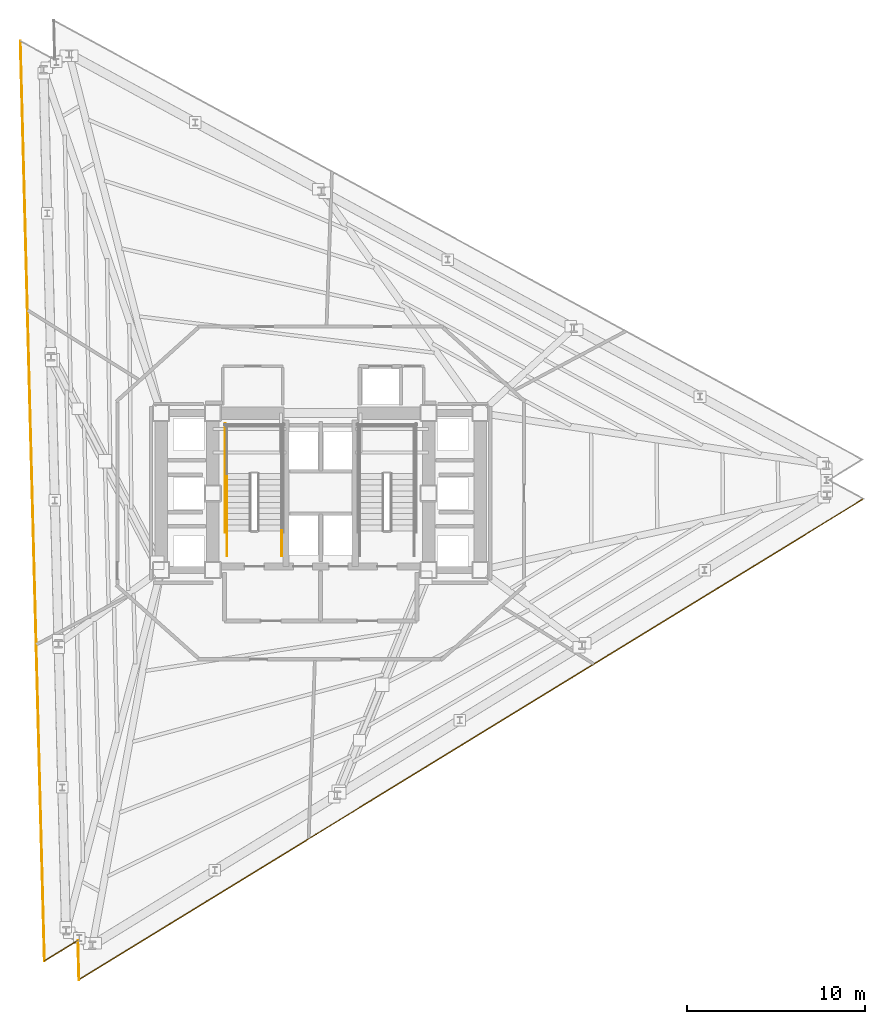
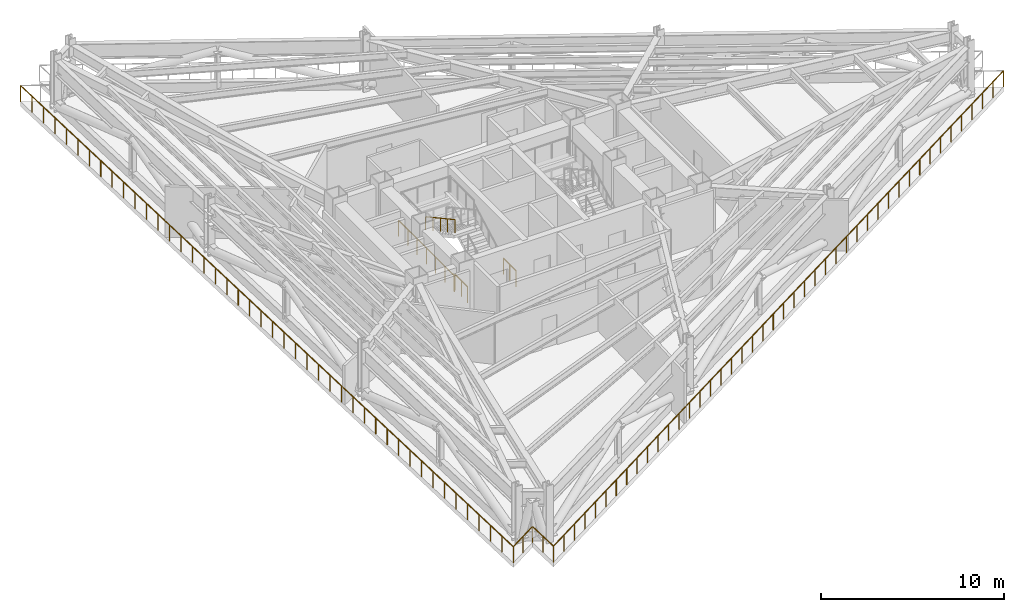
# One storey, part 8 of 10: 8 railings.
"""IFC4 building model written with IfcOpenShell, lengths in metres."""

from ifc_helpers import new_model, si_unit, direction, frame, origin, origin_2d, place, context, subcontext, project, spatial, rectangle, extrude, material, layer, layer_set, type_object, element, save


model = new_model("IFC4")

# Units and contexts
model_context = context("Model", 3, precision=1e-05, world=origin(), true_north=direction((0.0, 1.0)))
body_context = subcontext(model_context, "Body", "Model", "MODEL_VIEW")
ifc_project = project(units=[si_unit("LENGTHUNIT", "METRE"), si_unit("AREAUNIT", "SQUARE_METRE"), si_unit("VOLUMEUNIT", "CUBIC_METRE"), si_unit("PLANEANGLEUNIT", "RADIAN"), si_unit("MASSUNIT", "GRAM", prefix="KILO")], contexts=[model_context])

# Site, building, storey
site_placement = place(None, origin())
site = spatial("IfcSite", under=ifc_project, at=site_placement, CompositionType="ELEMENT")
building_placement = place(site_placement, origin())
building = spatial("IfcBuilding", under=site, at=building_placement, Name="Rocaltana Carrier Exchange", CompositionType="ELEMENT")
storey_placement = place(building_placement, frame((0.0, 0.0, 45.760009765625)))
storey = spatial("IfcBuildingStorey", under=building, at=storey_placement, Name="L14", CompositionType="ELEMENT", Elevation=45.760009765625)

# Railings
ifc_material_1 = material(Name="Brushed Architectural Stainless Tube", Category="steel")
ifc_layer_1 = layer(ifc_material_1, 0.048095703125)
ifc_layer_set_1 = layer_set([ifc_layer_1], Name="Brushed Architectural Stainless Tube")
railing_type_1 = type_object("IfcRailingType", Name="Stair Wall Handrail 920", PredefinedType="HANDRAIL", material=ifc_layer_set_1)
railing_1_placement = place(storey_placement, frame((-5.25, 1.10009765625, 2.094482421875)))
element("IfcRailing", 1, at=railing_1_placement, inside=storey, type_object=railing_type_1, Name="L14 ST-1 stair handrail 2", PredefinedType="HANDRAIL", context=body_context, shape_type="SweptSolid", body=[
    extrude(rectangle(XDim=0.048095703125, YDim=0.048095703125, at=origin_2d()), frame((0.0, 0.0, 0.8759765625), z_axis=(0.0, -0.87789045386, 0.478861515494), x_axis=(1.0, 0.0, 0.0)), (0.0, 0.0, 1.0), 3.645263671875),
    extrude(rectangle(XDim=0.0419921875, YDim=0.0419921875, at=origin_2d()), origin(), (0.0, 0.0, 1.0), 0.851806640625),
    extrude(rectangle(XDim=0.0419921875, YDim=0.0419921875, at=origin_2d()), frame((0.0, -0.800048828125, 0.4365234375)), (0.0, 0.0, 1.0), 0.851806640625),
    extrude(rectangle(XDim=0.0419921875, YDim=0.0419921875, at=origin_2d()), frame((0.0, -1.60009765625, 0.872802734375)), (0.0, 0.0, 1.0), 0.851806640625),
    extrude(rectangle(XDim=0.0419921875, YDim=0.0419921875, at=origin_2d()), frame((0.0, -2.400146484375, 1.30908203125)), (0.0, 0.0, 1.0), 0.851806640625),
    extrude(rectangle(XDim=0.0419921875, YDim=0.0419921875, at=origin_2d()), frame((0.0, -3.2001953125, 1.74560546875)), (0.0, 0.0, 1.0), 0.851806640625),
])
ifc_material_2 = material(Name="Powder-Coated Aluminium 6063-T6", Category="aluminium")
ifc_layer_2 = layer(ifc_material_2, 0.048095703125)
ifc_layer_set_2 = layer_set([ifc_layer_2], Name="Powder-Coated Aluminium 6063-T6")
railing_type_2 = type_object("IfcRailingType", Name="Stair Well Guardrail 1100", PredefinedType="GUARDRAIL", material=ifc_layer_set_2)
for number, where, name in (
    (2, (-2.18994140625, -3.5, 0.0), "L14 ST-1 stair guard 8"),
    (3, (-5.25, -3.5, 0.0), "L14 ST-1 stair guard 9"),
):
    element("IfcRailing", number, at=place(storey_placement, frame(where)), inside=storey, type_object=railing_type_2, Name=name, PredefinedType="GUARDRAIL", context=body_context, shape_type="SweptSolid", body=[
        extrude(rectangle(XDim=0.048095703125, YDim=0.048095703125, at=origin_2d()), frame((0.0, 0.0, 1.076171875), z_axis=(0.0, 1.0, 0.0), x_axis=(-1.0, 0.0, 0.0)), (0.0, 0.0, 1.0), 1.39990234375),
        extrude(rectangle(XDim=0.0419921875, YDim=0.0419921875, at=origin_2d()), origin(), (0.0, 0.0, 1.0), 1.052001953125),
        extrude(rectangle(XDim=0.0419921875, YDim=0.0419921875, at=origin_2d()), frame((0.0, 0.699951171875, 0.0)), (0.0, 0.0, 1.0), 1.052001953125),
        extrude(rectangle(XDim=0.0419921875, YDim=0.0419921875, at=origin_2d()), frame((0.0, 1.39990234375, 0.0)), (0.0, 0.0, 1.0), 1.052001953125),
    ])
railing_2_placement = place(storey_placement, frame((-5.35009765625, -2.199951171875, 0.0)))
element("IfcRailing", 4, at=railing_2_placement, inside=storey, type_object=railing_type_2, Name="L14 ST-1 stair guard 11", PredefinedType="GUARDRAIL", context=body_context, shape_type="SweptSolid", body=[
    extrude(rectangle(XDim=0.048095703125, YDim=0.048095703125, at=origin_2d()), frame((0.0, 0.0, 1.076171875), z_axis=(0.0, 1.0, 0.0), x_axis=(-1.0, 0.0, 0.0)), (0.0, 0.0, 1.0), 6.099853515625),
    extrude(rectangle(XDim=0.0419921875, YDim=0.0419921875, at=origin_2d()), origin(), (0.0, 0.0, 1.0), 1.052001953125),
    extrude(rectangle(XDim=0.0419921875, YDim=0.0419921875, at=origin_2d()), frame((0.0, 1.0166015625, 0.0)), (0.0, 0.0, 1.0), 1.052001953125),
    extrude(rectangle(XDim=0.0419921875, YDim=0.0419921875, at=origin_2d()), frame((0.0, 2.033203125, 0.0)), (0.0, 0.0, 1.0), 1.052001953125),
    extrude(rectangle(XDim=0.0419921875, YDim=0.0419921875, at=origin_2d()), frame((0.0, 3.0498046875, 0.0)), (0.0, 0.0, 1.0), 1.052001953125),
    extrude(rectangle(XDim=0.0419921875, YDim=0.0419921875, at=origin_2d()), frame((0.0, 4.066650390625, 0.0)), (0.0, 0.0, 1.0), 1.052001953125),
    extrude(rectangle(XDim=0.0419921875, YDim=0.0419921875, at=origin_2d()), frame((0.0, 5.083251953125, 0.0)), (0.0, 0.0, 1.0), 1.052001953125),
    extrude(rectangle(XDim=0.0419921875, YDim=0.0419921875, at=origin_2d()), frame((0.0, 6.099853515625, 0.0)), (0.0, 0.0, 1.0), 1.052001953125),
])
ifc_material_3 = material(Name="Powder-Coated Aluminium 6063-T6", Category="aluminium")
ifc_layer_3 = layer(ifc_material_3, 0.06005859375)
ifc_layer_set_3 = layer_set([ifc_layer_3], Name="Powder-Coated Aluminium 6063-T6")
railing_type_3 = type_object("IfcRailingType", Name="Wind-Floor & Terrace Perimeter Guardrail 1100", PredefinedType="GUARDRAIL", material=ifc_layer_set_3)
railing_3_placement = place(storey_placement, frame((-16.835693359375, 25.367919921875, 0.0)))
element("IfcRailing", 5, at=railing_3_placement, inside=storey, type_object=railing_type_3, Name="L14 Wind Perimeter Guardrail 6", PredefinedType="GUARDRAIL", context=body_context, shape_type="SweptSolid", body=[
    extrude(rectangle(XDim=0.048095703125, YDim=0.048095703125, at=origin_2d()), frame((0.0, 0.0, 1.076171875), z_axis=(0.026178897755, -0.999657273926, 0.0), x_axis=(0.999657273926, 0.026178897755, 0.0)), (0.0, 0.0, 1.0), 51.599853515625),
    extrude(rectangle(XDim=0.0419921875, YDim=0.0419921875, at=origin_2d()), origin(), (0.0, 0.0, 1.0), 1.052001953125),
    extrude(rectangle(XDim=0.0419921875, YDim=0.0419921875, at=origin_2d()), frame((0.031494140625, -1.19970703125, 0.0)), (0.0, 0.0, 1.0), 1.052001953125),
    extrude(rectangle(XDim=0.0419921875, YDim=0.0419921875, at=origin_2d()), frame((0.062744140625, -2.399169921875, 0.0)), (0.0, 0.0, 1.0), 1.052001953125),
    extrude(rectangle(XDim=0.0419921875, YDim=0.0419921875, at=origin_2d()), frame((0.09423828125, -3.598876953125, 0.0)), (0.0, 0.0, 1.0), 1.052001953125),
    extrude(rectangle(XDim=0.0419921875, YDim=0.0419921875, at=origin_2d()), frame((0.125732421875, -4.79833984375, 0.0)), (0.0, 0.0, 1.0), 1.052001953125),
    extrude(rectangle(XDim=0.0419921875, YDim=0.0419921875, at=origin_2d()), frame((0.156982421875, -5.998046875, 0.0)), (0.0, 0.0, 1.0), 1.052001953125),
    extrude(rectangle(XDim=0.0419921875, YDim=0.0419921875, at=origin_2d()), frame((0.1884765625, -7.197509765625, 0.0)), (0.0, 0.0, 1.0), 1.052001953125),
    extrude(rectangle(XDim=0.0419921875, YDim=0.0419921875, at=origin_2d()), frame((0.219970703125, -8.397216796875, 0.0)), (0.0, 0.0, 1.0), 1.052001953125),
    extrude(rectangle(XDim=0.0419921875, YDim=0.0419921875, at=origin_2d()), frame((0.251220703125, -9.5966796875, 0.0)), (0.0, 0.0, 1.0), 1.052001953125),
    extrude(rectangle(XDim=0.0419921875, YDim=0.0419921875, at=origin_2d()), frame((0.28271484375, -10.79638671875, 0.0)), (0.0, 0.0, 1.0), 1.052001953125),
    extrude(rectangle(XDim=0.0419921875, YDim=0.0419921875, at=origin_2d()), frame((0.314208984375, -11.995849609375, 0.0)), (0.0, 0.0, 1.0), 1.052001953125),
    extrude(rectangle(XDim=0.0419921875, YDim=0.0419921875, at=origin_2d()), frame((0.345458984375, -13.195556640625, 0.0)), (0.0, 0.0, 1.0), 1.052001953125),
    extrude(rectangle(XDim=0.0419921875, YDim=0.0419921875, at=origin_2d()), frame((0.376953125, -14.39501953125, 0.0)), (0.0, 0.0, 1.0), 1.052001953125),
    extrude(rectangle(XDim=0.0419921875, YDim=0.0419921875, at=origin_2d()), frame((0.408447265625, -15.5947265625, 0.0)), (0.0, 0.0, 1.0), 1.052001953125),
    extrude(rectangle(XDim=0.0419921875, YDim=0.0419921875, at=origin_2d()), frame((0.439697265625, -16.794189453125, 0.0)), (0.0, 0.0, 1.0), 1.052001953125),
    extrude(rectangle(XDim=0.0419921875, YDim=0.0419921875, at=origin_2d()), frame((0.47119140625, -17.993896484375, 0.0)), (0.0, 0.0, 1.0), 1.052001953125),
    extrude(rectangle(XDim=0.0419921875, YDim=0.0419921875, at=origin_2d()), frame((0.502685546875, -19.193359375, 0.0)), (0.0, 0.0, 1.0), 1.052001953125),
    extrude(rectangle(XDim=0.0419921875, YDim=0.0419921875, at=origin_2d()), frame((0.533935546875, -20.39306640625, 0.0)), (0.0, 0.0, 1.0), 1.052001953125),
    extrude(rectangle(XDim=0.0419921875, YDim=0.0419921875, at=origin_2d()), frame((0.5654296875, -21.592529296875, 0.0)), (0.0, 0.0, 1.0), 1.052001953125),
    extrude(rectangle(XDim=0.0419921875, YDim=0.0419921875, at=origin_2d()), frame((0.596923828125, -22.792236328125, 0.0)), (0.0, 0.0, 1.0), 1.052001953125),
    extrude(rectangle(XDim=0.0419921875, YDim=0.0419921875, at=origin_2d()), frame((0.628173828125, -23.99169921875, 0.0)), (0.0, 0.0, 1.0), 1.052001953125),
    extrude(rectangle(XDim=0.0419921875, YDim=0.0419921875, at=origin_2d()), frame((0.65966796875, -25.19140625, 0.0)), (0.0, 0.0, 1.0), 1.052001953125),
    extrude(rectangle(XDim=0.0419921875, YDim=0.0419921875, at=origin_2d()), frame((0.691162109375, -26.390869140625, 0.0)), (0.0, 0.0, 1.0), 1.052001953125),
    extrude(rectangle(XDim=0.0419921875, YDim=0.0419921875, at=origin_2d()), frame((0.72265625, -27.590576171875, 0.0)), (0.0, 0.0, 1.0), 1.052001953125),
    extrude(rectangle(XDim=0.0419921875, YDim=0.0419921875, at=origin_2d()), frame((0.75390625, -28.7900390625, 0.0)), (0.0, 0.0, 1.0), 1.052001953125),
    extrude(rectangle(XDim=0.0419921875, YDim=0.0419921875, at=origin_2d()), frame((0.785400390625, -29.98974609375, 0.0)), (0.0, 0.0, 1.0), 1.052001953125),
    extrude(rectangle(XDim=0.0419921875, YDim=0.0419921875, at=origin_2d()), frame((0.81689453125, -31.189208984375, 0.0)), (0.0, 0.0, 1.0), 1.052001953125),
    extrude(rectangle(XDim=0.0419921875, YDim=0.0419921875, at=origin_2d()), frame((0.84814453125, -32.388916015625, 0.0)), (0.0, 0.0, 1.0), 1.052001953125),
    extrude(rectangle(XDim=0.0419921875, YDim=0.0419921875, at=origin_2d()), frame((0.879638671875, -33.58837890625, 0.0)), (0.0, 0.0, 1.0), 1.052001953125),
    extrude(rectangle(XDim=0.0419921875, YDim=0.0419921875, at=origin_2d()), frame((0.9111328125, -34.7880859375, 0.0)), (0.0, 0.0, 1.0), 1.052001953125),
    extrude(rectangle(XDim=0.0419921875, YDim=0.0419921875, at=origin_2d()), frame((0.9423828125, -35.987548828125, 0.0)), (0.0, 0.0, 1.0), 1.052001953125),
    extrude(rectangle(XDim=0.0419921875, YDim=0.0419921875, at=origin_2d()), frame((0.973876953125, -37.187255859375, 0.0)), (0.0, 0.0, 1.0), 1.052001953125),
    extrude(rectangle(XDim=0.0419921875, YDim=0.0419921875, at=origin_2d()), frame((1.00537109375, -38.38671875, 0.0)), (0.0, 0.0, 1.0), 1.052001953125),
    extrude(rectangle(XDim=0.0419921875, YDim=0.0419921875, at=origin_2d()), frame((1.03662109375, -39.58642578125, 0.0)), (0.0, 0.0, 1.0), 1.052001953125),
    extrude(rectangle(XDim=0.0419921875, YDim=0.0419921875, at=origin_2d()), frame((1.068115234375, -40.785888671875, 0.0)), (0.0, 0.0, 1.0), 1.052001953125),
    extrude(rectangle(XDim=0.0419921875, YDim=0.0419921875, at=origin_2d()), frame((1.099609375, -41.985595703125, 0.0)), (0.0, 0.0, 1.0), 1.052001953125),
    extrude(rectangle(XDim=0.0419921875, YDim=0.0419921875, at=origin_2d()), frame((1.130859375, -43.18505859375, 0.0)), (0.0, 0.0, 1.0), 1.052001953125),
    extrude(rectangle(XDim=0.0419921875, YDim=0.0419921875, at=origin_2d()), frame((1.162353515625, -44.384765625, 0.0)), (0.0, 0.0, 1.0), 1.052001953125),
    extrude(rectangle(XDim=0.0419921875, YDim=0.0419921875, at=origin_2d()), frame((1.19384765625, -45.584228515625, 0.0)), (0.0, 0.0, 1.0), 1.052001953125),
    extrude(rectangle(XDim=0.0419921875, YDim=0.0419921875, at=origin_2d()), frame((1.22509765625, -46.783935546875, 0.0)), (0.0, 0.0, 1.0), 1.052001953125),
    extrude(rectangle(XDim=0.0419921875, YDim=0.0419921875, at=origin_2d()), frame((1.256591796875, -47.9833984375, 0.0)), (0.0, 0.0, 1.0), 1.052001953125),
    extrude(rectangle(XDim=0.0419921875, YDim=0.0419921875, at=origin_2d()), frame((1.2880859375, -49.18310546875, 0.0)), (0.0, 0.0, 1.0), 1.052001953125),
    extrude(rectangle(XDim=0.0419921875, YDim=0.0419921875, at=origin_2d()), frame((1.3193359375, -50.382568359375, 0.0)), (0.0, 0.0, 1.0), 1.052001953125),
    extrude(rectangle(XDim=0.0419921875, YDim=0.0419921875, at=origin_2d()), frame((1.350830078125, -51.582275390625, 0.0)), (0.0, 0.0, 1.0), 1.052001953125),
])
railing_4_placement = place(storey_placement, frame((-15.48486328125, -26.21435546875, 0.0)))
element("IfcRailing", 6, at=railing_4_placement, inside=storey, type_object=railing_type_3, Name="L14 Wind Perimeter Guardrail 7", PredefinedType="GUARDRAIL", context=body_context, shape_type="SweptSolid", body=[
    extrude(rectangle(XDim=0.048095703125, YDim=0.048095703125, at=origin_2d()), frame((0.0, 0.0, 1.076171875), z_axis=(0.852598062579, 0.522567262356, 0.0), x_axis=(-0.522567262356, 0.852598062579, 0.0)), (0.0, 0.0, 1.0), 2.199951171875),
    extrude(rectangle(XDim=0.0419921875, YDim=0.0419921875, at=origin_2d()), origin(), (0.0, 0.0, 1.0), 1.052001953125),
    extrude(rectangle(XDim=0.0419921875, YDim=0.0419921875, at=origin_2d()), frame((0.93798828125, 0.57470703125, 0.0)), (0.0, 0.0, 1.0), 1.052001953125),
    extrude(rectangle(XDim=0.0419921875, YDim=0.0419921875, at=origin_2d()), frame((1.875732421875, 1.149658203125, 0.0)), (0.0, 0.0, 1.0), 1.052001953125),
])
railing_5_placement = place(storey_placement, frame((-13.609130859375, -25.064697265625, 0.0)))
element("IfcRailing", 7, at=railing_5_placement, inside=storey, type_object=railing_type_3, Name="L14 Wind Perimeter Guardrail 8", PredefinedType="GUARDRAIL", context=body_context, shape_type="SweptSolid", body=[
    extrude(rectangle(XDim=0.048095703125, YDim=0.048095703125, at=origin_2d()), frame((0.0, 0.0, 1.076171875), z_axis=(0.026187042546, -0.999657060598, 0.0), x_axis=(0.999657060598, 0.026187042546, 0.0)), (0.0, 0.0, 1.0), 2.2001953125),
    extrude(rectangle(XDim=0.0419921875, YDim=0.0419921875, at=origin_2d()), origin(), (0.0, 0.0, 1.0), 1.052001953125),
    extrude(rectangle(XDim=0.0419921875, YDim=0.0419921875, at=origin_2d()), frame((0.02880859375, -1.099609375, 0.0)), (0.0, 0.0, 1.0), 1.052001953125),
    extrude(rectangle(XDim=0.0419921875, YDim=0.0419921875, at=origin_2d()), frame((0.0576171875, -2.199462890625, 0.0)), (0.0, 0.0, 1.0), 1.052001953125),
])
railing_6_placement = place(storey_placement, frame((-13.551513671875, -27.26416015625, 0.0)))
element("IfcRailing", 8, at=railing_6_placement, inside=storey, type_object=railing_type_3, Name="L14 Wind Perimeter Guardrail 9", PredefinedType="GUARDRAIL", context=body_context, shape_type="SweptSolid", body=[
    extrude(rectangle(XDim=0.048095703125, YDim=0.048095703125, at=origin_2d()), frame((0.0, 0.0, 1.076171875), z_axis=(0.852639330544, 0.522499925368, 0.0), x_axis=(-0.522499925368, 0.852639330544, 0.0)), (0.0, 0.0, 1.0), 51.599853515625),
    extrude(rectangle(XDim=0.0419921875, YDim=0.0419921875, at=origin_2d()), origin(), (0.0, 0.0, 1.0), 1.052001953125),
    extrude(rectangle(XDim=0.0419921875, YDim=0.0419921875, at=origin_2d()), frame((1.023193359375, 0.626953125, 0.0)), (0.0, 0.0, 1.0), 1.052001953125),
    extrude(rectangle(XDim=0.0419921875, YDim=0.0419921875, at=origin_2d()), frame((2.04638671875, 1.25390625, 0.0)), (0.0, 0.0, 1.0), 1.052001953125),
    extrude(rectangle(XDim=0.0419921875, YDim=0.0419921875, at=origin_2d()), frame((3.069580078125, 1.881103515625, 0.0)), (0.0, 0.0, 1.0), 1.052001953125),
    extrude(rectangle(XDim=0.0419921875, YDim=0.0419921875, at=origin_2d()), frame((4.0927734375, 2.508056640625, 0.0)), (0.0, 0.0, 1.0), 1.052001953125),
    extrude(rectangle(XDim=0.0419921875, YDim=0.0419921875, at=origin_2d()), frame((5.11572265625, 3.135009765625, 0.0)), (0.0, 0.0, 1.0), 1.052001953125),
    extrude(rectangle(XDim=0.0419921875, YDim=0.0419921875, at=origin_2d()), frame((6.138916015625, 3.761962890625, 0.0)), (0.0, 0.0, 1.0), 1.052001953125),
    extrude(rectangle(XDim=0.0419921875, YDim=0.0419921875, at=origin_2d()), frame((7.162109375, 4.388916015625, 0.0)), (0.0, 0.0, 1.0), 1.052001953125),
    extrude(rectangle(XDim=0.0419921875, YDim=0.0419921875, at=origin_2d()), frame((8.185302734375, 5.015869140625, 0.0)), (0.0, 0.0, 1.0), 1.052001953125),
    extrude(rectangle(XDim=0.0419921875, YDim=0.0419921875, at=origin_2d()), frame((9.20849609375, 5.64306640625, 0.0)), (0.0, 0.0, 1.0), 1.052001953125),
    extrude(rectangle(XDim=0.0419921875, YDim=0.0419921875, at=origin_2d()), frame((10.231689453125, 6.27001953125, 0.0)), (0.0, 0.0, 1.0), 1.052001953125),
    extrude(rectangle(XDim=0.0419921875, YDim=0.0419921875, at=origin_2d()), frame((11.2548828125, 6.89697265625, 0.0)), (0.0, 0.0, 1.0), 1.052001953125),
    extrude(rectangle(XDim=0.0419921875, YDim=0.0419921875, at=origin_2d()), frame((12.278076171875, 7.52392578125, 0.0)), (0.0, 0.0, 1.0), 1.052001953125),
    extrude(rectangle(XDim=0.0419921875, YDim=0.0419921875, at=origin_2d()), frame((13.301025390625, 8.15087890625, 0.0)), (0.0, 0.0, 1.0), 1.052001953125),
    extrude(rectangle(XDim=0.0419921875, YDim=0.0419921875, at=origin_2d()), frame((14.32421875, 8.778076171875, 0.0)), (0.0, 0.0, 1.0), 1.052001953125),
    extrude(rectangle(XDim=0.0419921875, YDim=0.0419921875, at=origin_2d()), frame((15.347412109375, 9.405029296875, 0.0)), (0.0, 0.0, 1.0), 1.052001953125),
    extrude(rectangle(XDim=0.0419921875, YDim=0.0419921875, at=origin_2d()), frame((16.37060546875, 10.031982421875, 0.0)), (0.0, 0.0, 1.0), 1.052001953125),
    extrude(rectangle(XDim=0.0419921875, YDim=0.0419921875, at=origin_2d()), frame((17.393798828125, 10.658935546875, 0.0)), (0.0, 0.0, 1.0), 1.052001953125),
    extrude(rectangle(XDim=0.0419921875, YDim=0.0419921875, at=origin_2d()), frame((18.4169921875, 11.285888671875, 0.0)), (0.0, 0.0, 1.0), 1.052001953125),
    extrude(rectangle(XDim=0.0419921875, YDim=0.0419921875, at=origin_2d()), frame((19.440185546875, 11.9130859375, 0.0)), (0.0, 0.0, 1.0), 1.052001953125),
    extrude(rectangle(XDim=0.0419921875, YDim=0.0419921875, at=origin_2d()), frame((20.46337890625, 12.5400390625, 0.0)), (0.0, 0.0, 1.0), 1.052001953125),
    extrude(rectangle(XDim=0.0419921875, YDim=0.0419921875, at=origin_2d()), frame((21.486572265625, 13.1669921875, 0.0)), (0.0, 0.0, 1.0), 1.052001953125),
    extrude(rectangle(XDim=0.0419921875, YDim=0.0419921875, at=origin_2d()), frame((22.509521484375, 13.7939453125, 0.0)), (0.0, 0.0, 1.0), 1.052001953125),
    extrude(rectangle(XDim=0.0419921875, YDim=0.0419921875, at=origin_2d()), frame((23.53271484375, 14.4208984375, 0.0)), (0.0, 0.0, 1.0), 1.052001953125),
    extrude(rectangle(XDim=0.0419921875, YDim=0.0419921875, at=origin_2d()), frame((24.555908203125, 15.0478515625, 0.0)), (0.0, 0.0, 1.0), 1.052001953125),
    extrude(rectangle(XDim=0.0419921875, YDim=0.0419921875, at=origin_2d()), frame((25.5791015625, 15.675048828125, 0.0)), (0.0, 0.0, 1.0), 1.052001953125),
    extrude(rectangle(XDim=0.0419921875, YDim=0.0419921875, at=origin_2d()), frame((26.602294921875, 16.302001953125, 0.0)), (0.0, 0.0, 1.0), 1.052001953125),
    extrude(rectangle(XDim=0.0419921875, YDim=0.0419921875, at=origin_2d()), frame((27.62548828125, 16.928955078125, 0.0)), (0.0, 0.0, 1.0), 1.052001953125),
    extrude(rectangle(XDim=0.0419921875, YDim=0.0419921875, at=origin_2d()), frame((28.648681640625, 17.555908203125, 0.0)), (0.0, 0.0, 1.0), 1.052001953125),
    extrude(rectangle(XDim=0.0419921875, YDim=0.0419921875, at=origin_2d()), frame((29.671875, 18.182861328125, 0.0)), (0.0, 0.0, 1.0), 1.052001953125),
    extrude(rectangle(XDim=0.0419921875, YDim=0.0419921875, at=origin_2d()), frame((30.695068359375, 18.81005859375, 0.0)), (0.0, 0.0, 1.0), 1.052001953125),
    extrude(rectangle(XDim=0.0419921875, YDim=0.0419921875, at=origin_2d()), frame((31.718017578125, 19.43701171875, 0.0)), (0.0, 0.0, 1.0), 1.052001953125),
    extrude(rectangle(XDim=0.0419921875, YDim=0.0419921875, at=origin_2d()), frame((32.7412109375, 20.06396484375, 0.0)), (0.0, 0.0, 1.0), 1.052001953125),
    extrude(rectangle(XDim=0.0419921875, YDim=0.0419921875, at=origin_2d()), frame((33.764404296875, 20.69091796875, 0.0)), (0.0, 0.0, 1.0), 1.052001953125),
    extrude(rectangle(XDim=0.0419921875, YDim=0.0419921875, at=origin_2d()), frame((34.78759765625, 21.31787109375, 0.0)), (0.0, 0.0, 1.0), 1.052001953125),
    extrude(rectangle(XDim=0.0419921875, YDim=0.0419921875, at=origin_2d()), frame((35.810791015625, 21.945068359375, 0.0)), (0.0, 0.0, 1.0), 1.052001953125),
    extrude(rectangle(XDim=0.0419921875, YDim=0.0419921875, at=origin_2d()), frame((36.833984375, 22.572021484375, 0.0)), (0.0, 0.0, 1.0), 1.052001953125),
    extrude(rectangle(XDim=0.0419921875, YDim=0.0419921875, at=origin_2d()), frame((37.857177734375, 23.198974609375, 0.0)), (0.0, 0.0, 1.0), 1.052001953125),
    extrude(rectangle(XDim=0.0419921875, YDim=0.0419921875, at=origin_2d()), frame((38.88037109375, 23.825927734375, 0.0)), (0.0, 0.0, 1.0), 1.052001953125),
    extrude(rectangle(XDim=0.0419921875, YDim=0.0419921875, at=origin_2d()), frame((39.9033203125, 24.452880859375, 0.0)), (0.0, 0.0, 1.0), 1.052001953125),
    extrude(rectangle(XDim=0.0419921875, YDim=0.0419921875, at=origin_2d()), frame((40.926513671875, 25.079833984375, 0.0)), (0.0, 0.0, 1.0), 1.052001953125),
    extrude(rectangle(XDim=0.0419921875, YDim=0.0419921875, at=origin_2d()), frame((41.94970703125, 25.70703125, 0.0)), (0.0, 0.0, 1.0), 1.052001953125),
    extrude(rectangle(XDim=0.0419921875, YDim=0.0419921875, at=origin_2d()), frame((42.972900390625, 26.333984375, 0.0)), (0.0, 0.0, 1.0), 1.052001953125),
    extrude(rectangle(XDim=0.0419921875, YDim=0.0419921875, at=origin_2d()), frame((43.99609375, 26.9609375, 0.0)), (0.0, 0.0, 1.0), 1.052001953125),
])

save(model, "model.ifc")
